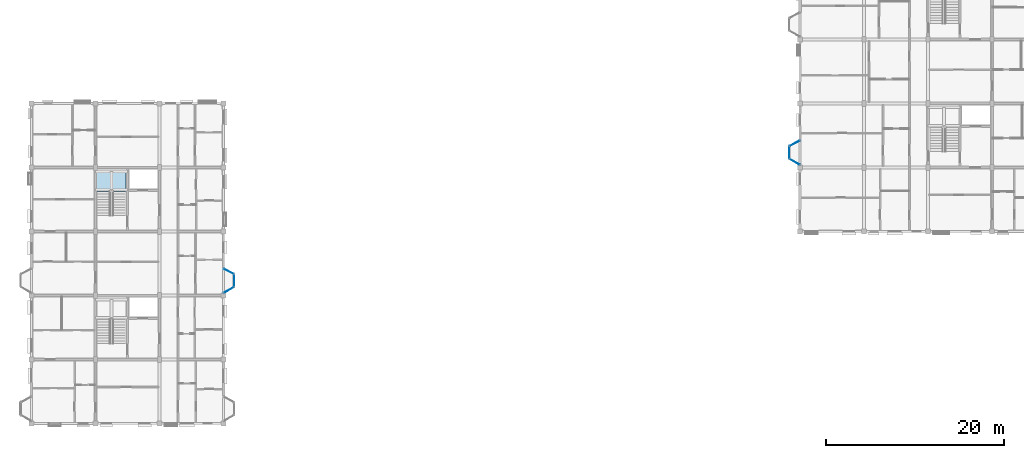
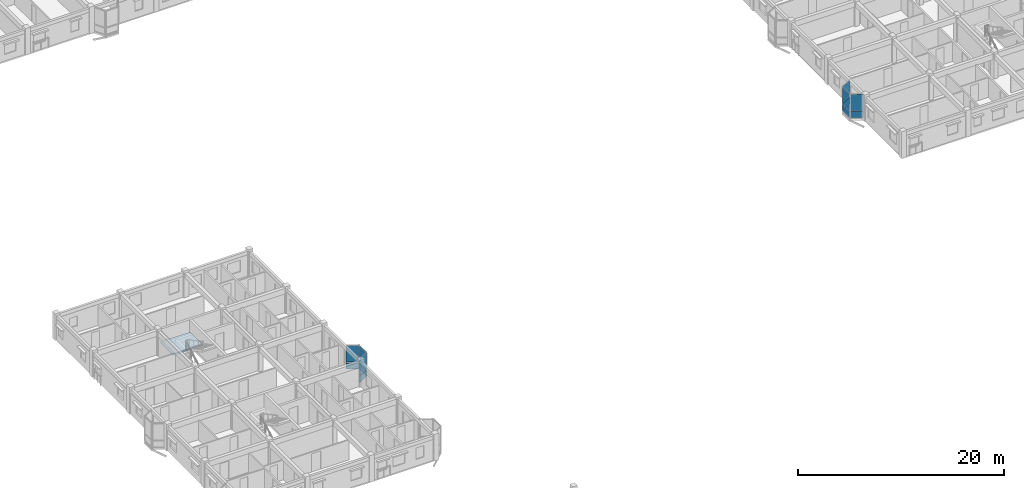
# One storey, part 47 of 79: 12 plates, 1 slab, 7 elements without a shape of their own.
"""IFC4 building model written with IfcOpenShell, lengths in metres."""

from ifc_helpers import new_model, si_unit, direction, frame, origin, origin_2d, place, context, subcontext, project, spatial, polyline, rectangle, outline, extrude, material, layer, layer_set, type_object, element, aggregate, save


model = new_model("IFC4")

# Units and contexts
model_context = context("Model", 3, precision=1e-05, world=origin(), true_north=direction((0.0, 1.0)))
body_context = subcontext(model_context, "Body", "Model", "MODEL_VIEW")
ifc_project = project(units=[si_unit("LENGTHUNIT", "METRE"), si_unit("AREAUNIT", "SQUARE_METRE"), si_unit("VOLUMEUNIT", "CUBIC_METRE"), si_unit("PLANEANGLEUNIT", "RADIAN"), si_unit("MASSUNIT", "GRAM", prefix="KILO"), si_unit("THERMODYNAMICTEMPERATUREUNIT", "KELVIN"), si_unit("POWERUNIT", "WATT")], contexts=[model_context])

# Site, building, storey
site_placement = place(None, origin())
site = spatial("IfcSite", under=ifc_project, at=site_placement, CompositionType="ELEMENT")
building_placement = place(site_placement, origin())
building = spatial("IfcBuilding", under=site, at=building_placement, Name="Tavuni Mirador Residences", CompositionType="ELEMENT")
storey_placement = place(building_placement, frame((0.0, 0.0, 13.949951171875)))
storey = spatial("IfcBuildingStorey", under=building, at=storey_placement, Name="L04", CompositionType="ELEMENT", Elevation=13.949951171875)

# Curtain wall, plate
ifc_material_1 = material(Name="Anodised aluminium", Category="aluminium")
ifc_layer_1 = layer(ifc_material_1, 0.1650390625, Name="Anodised aluminium", Category="aluminium")
ifc_layer_set_1 = layer_set([ifc_layer_1], Name="Anodised aluminium")
curtain_wall_type_1 = type_object("IfcCurtainWallType", Name="CWT-MIR-A", PredefinedType="NOTDEFINED", material=ifc_layer_set_1)
curtain_wall_1_placement = place(storey_placement, origin())
curtain_wall_1 = element("IfcCurtainWall", 1, at=curtain_wall_1_placement, inside=storey, type_object=curtain_wall_type_1, Name="CW-MIR-B-E2-L04-MF", PredefinedType="NOTDEFINED")
ifc_material_2 = material(Name="Laminated solar-control glass", Category="glass")
ifc_layer_2 = layer(ifc_material_2, 0.02392578125, Name="Laminated solar-control glass", Category="glass")
ifc_layer_set_2 = layer_set([ifc_layer_2], Name="Laminated solar-control glass")
plate_type_1 = type_object("IfcPlateType", Name="CWP-GL24", PredefinedType="CURTAIN_PANEL", material=ifc_layer_set_2)
plate_1_placement = place(storey_placement, frame((26.39990234375, 80.8701171875, 0.8798828125), z_axis=(0.0, 0.0, 1.0), x_axis=(0.0, 1.0, 0.0)))
plate_1 = element("IfcPlate", 2, at=plate_1_placement, type_object=plate_type_1, Name="CW-01 panel 1.2", PredefinedType="CURTAIN_PANEL", context=body_context, shape_type="SweptSolid", body=[
    extrude(rectangle(XDim=1.300048828125, YDim=0.02392578125, at=origin_2d()), origin(), (0.0, 0.0, 1.0), 1.969970703125),
])

curtain_wall_2_placement = place(storey_placement, origin())
curtain_wall_2 = element("IfcCurtainWall", 3, at=curtain_wall_2_placement, inside=storey, type_object=curtain_wall_type_1, Name="CW-MIR-D-W1-L04-MF", PredefinedType="NOTDEFINED")
plate_2_placement = place(storey_placement, frame((88.800048828125, 95.27001953125, 0.8798828125), z_axis=(0.0, 0.0, 1.0), x_axis=(0.0, -1.0, 0.0)))
plate_2 = element("IfcPlate", 4, at=plate_2_placement, type_object=plate_type_1, Name="CW-01 panel 1.2", PredefinedType="CURTAIN_PANEL", context=body_context, shape_type="SweptSolid", body=[
    extrude(rectangle(XDim=1.300048828125, YDim=0.02392578125, at=origin_2d()), origin(), (0.0, 0.0, 1.0), 1.949951171875),
])

ifc_layer_3 = layer(ifc_material_1, 0.14990234375, Name="Anodised aluminium", Category="aluminium")
ifc_layer_set_3 = layer_set([ifc_layer_3], Name="Anodised aluminium")
curtain_wall_type_2 = type_object("IfcCurtainWallType", Name="CWT-MIR-B", PredefinedType="NOTDEFINED", material=ifc_layer_set_3)
curtain_wall_3_placement = place(storey_placement, origin())
curtain_wall_3 = element("IfcCurtainWall", 5, at=curtain_wall_3_placement, inside=storey, type_object=curtain_wall_type_2, Name="CW-MIR-B-E2-L04-M2", PredefinedType="NOTDEFINED")
ifc_layer_4 = layer(ifc_material_2, 0.028076171875, Name="Laminated solar-control glass", Category="glass")
ifc_layer_set_4 = layer_set([ifc_layer_4], Name="Laminated solar-control glass")
plate_type_2 = type_object("IfcPlateType", Name="CWP-GL28", PredefinedType="CURTAIN_PANEL", material=ifc_layer_set_4)
plate_3_placement = place(storey_placement, frame((25.800048828125, 81.89990234375, 0.882568359375), z_axis=(0.0, 0.0, 1.0), x_axis=(-0.882352941175, 0.470588235296, 0.0)))
plate_3 = element("IfcPlate", 6, at=plate_3_placement, type_object=plate_type_2, Name="CW-02 panel 1.2", PredefinedType="CURTAIN_PANEL", context=body_context, shape_type="SweptSolid", body=[
    extrude(rectangle(XDim=1.22998046875, YDim=0.028076171875, at=origin_2d()), origin(), (0.0, 0.0, 1.0), 1.96240234375),
])

curtain_wall_4_placement = place(storey_placement, origin())
curtain_wall_4 = element("IfcCurtainWall", 7, at=curtain_wall_4_placement, inside=storey, type_object=curtain_wall_type_2, Name="CW-MIR-D-W1-L04-M2", PredefinedType="NOTDEFINED")
plate_4_placement = place(storey_placement, frame((89.39990234375, 94.217529296875, 0.882568359375), z_axis=(0.0, 0.0, 1.0), x_axis=(0.868465738194, -0.495749192217, 0.0)))
plate_4 = element("IfcPlate", 8, at=plate_4_placement, type_object=plate_type_2, Name="CW-02 panel 1.2", PredefinedType="CURTAIN_PANEL", context=body_context, shape_type="SweptSolid", body=[
    extrude(rectangle(XDim=1.251708984375, YDim=0.028076171875, at=origin_2d()), origin(), (0.0, 0.0, 1.0), 1.9423828125),
])

ifc_layer_5 = layer(ifc_material_1, 0.159912109375, Name="Anodised aluminium", Category="aluminium")
ifc_layer_set_5 = layer_set([ifc_layer_5], Name="Anodised aluminium")
curtain_wall_type_3 = type_object("IfcCurtainWallType", Name="CWT-MIR-D", PredefinedType="NOTDEFINED", material=ifc_layer_set_5)
curtain_wall_5_placement = place(storey_placement, origin())
curtain_wall_5 = element("IfcCurtainWall", 9, at=curtain_wall_5_placement, inside=storey, type_object=curtain_wall_type_3, Name="CW-MIR-B-E2-L04-M1", PredefinedType="NOTDEFINED")
ifc_layer_6 = layer(ifc_material_2, 0.035888671875, Name="Laminated solar-control glass", Category="glass")
ifc_layer_set_6 = layer_set([ifc_layer_6], Name="Laminated solar-control glass")
plate_type_3 = type_object("IfcPlateType", Name="CWP-GL36", PredefinedType="CURTAIN_PANEL", material=ifc_layer_set_6)
plate_5_placement = place(storey_placement, frame((25.800048828125, 79.8173828125, 0.882568359375), z_axis=(0.0, 0.0, 1.0), x_axis=(0.868465738194, 0.495749192217, 0.0)))
plate_5 = element("IfcPlate", 10, at=plate_5_placement, type_object=plate_type_3, Name="CW-04 panel 1.2", PredefinedType="CURTAIN_PANEL", context=body_context, shape_type="SweptSolid", body=[
    extrude(rectangle(XDim=1.251708984375, YDim=0.035888671875, at=origin_2d()), origin(), (0.0, 0.0, 1.0), 1.96240234375),
])

curtain_wall_6_placement = place(storey_placement, origin())
curtain_wall_6 = element("IfcCurtainWall", 11, at=curtain_wall_6_placement, inside=storey, type_object=curtain_wall_type_3, Name="CW-MIR-D-W1-L04-M1", PredefinedType="NOTDEFINED")
plate_6_placement = place(storey_placement, frame((89.39990234375, 96.300048828125, 0.882568359375), z_axis=(0.0, 0.0, 1.0), x_axis=(-0.882352941175, -0.470588235296, 0.0)))
plate_6 = element("IfcPlate", 12, at=plate_6_placement, type_object=plate_type_3, Name="CW-04 panel 1.2", PredefinedType="CURTAIN_PANEL", context=body_context, shape_type="SweptSolid", body=[
    extrude(rectangle(XDim=1.22998046875, YDim=0.035888671875, at=origin_2d()), origin(), (0.0, 0.0, 1.0), 1.9423828125),
])

# Plate
ifc_material_3 = material(Name="Ceramic trencadis mosaic panel", Category="masonry")
ifc_layer_7 = layer(ifc_material_3, 0.0419921875, Name="Ceramic trencadis mosaic panel", Category="masonry")
ifc_layer_set_7 = layer_set([ifc_layer_7], Name="Ceramic trencadis mosaic panel")
plate_type_4 = type_object("IfcPlateType", Name="CWP-SP42", PredefinedType="CURTAIN_PANEL", material=ifc_layer_set_7)
plate_7_placement = place(storey_placement, frame((26.39990234375, 80.8701171875, 0.06005859375), z_axis=(0.0, 0.0, 1.0), x_axis=(0.0, 1.0, 0.0)))
plate_7 = element("IfcPlate", 13, at=plate_7_placement, type_object=plate_type_4, Name="CW-01 panel 1.1", PredefinedType="CURTAIN_PANEL", context=body_context, shape_type="SweptSolid", body=[
    extrude(rectangle(XDim=1.300048828125, YDim=0.0419921875, at=origin_2d()), origin(), (0.0, 0.0, 1.0), 0.760009765625),
])

aggregate(curtain_wall_1, [plate_7, plate_1])

plate_8_placement = place(storey_placement, frame((88.800048828125, 95.27001953125, 0.06005859375), z_axis=(0.0, 0.0, 1.0), x_axis=(0.0, -1.0, 0.0)))
plate_8 = element("IfcPlate", 14, at=plate_8_placement, type_object=plate_type_4, Name="CW-01 panel 1.1", PredefinedType="CURTAIN_PANEL", context=body_context, shape_type="SweptSolid", body=[
    extrude(rectangle(XDim=1.300048828125, YDim=0.0419921875, at=origin_2d()), origin(), (0.0, 0.0, 1.0), 0.760009765625),
])

aggregate(curtain_wall_2, [plate_8, plate_2])

ifc_layer_8 = layer(ifc_material_3, 0.048095703125, Name="Ceramic trencadis mosaic panel", Category="masonry")
ifc_layer_set_8 = layer_set([ifc_layer_8], Name="Ceramic trencadis mosaic panel")
plate_type_5 = type_object("IfcPlateType", Name="CWP-SP48", PredefinedType="CURTAIN_PANEL", material=ifc_layer_set_8)
plate_9_placement = place(storey_placement, frame((25.800048828125, 79.8173828125, 0.065185546875), z_axis=(0.0, 0.0, 1.0), x_axis=(0.868465738194, 0.495749192217, 0.0)))
plate_9 = element("IfcPlate", 15, at=plate_9_placement, type_object=plate_type_5, Name="CW-04 panel 1.1", PredefinedType="CURTAIN_PANEL", context=body_context, shape_type="SweptSolid", body=[
    extrude(rectangle(XDim=1.251708984375, YDim=0.048095703125, at=origin_2d()), origin(), (0.0, 0.0, 1.0), 0.75244140625),
])

aggregate(curtain_wall_5, [plate_9, plate_5])

plate_10_placement = place(storey_placement, frame((25.800048828125, 81.89990234375, 0.065185546875), z_axis=(0.0, 0.0, 1.0), x_axis=(-0.882352941175, 0.470588235296, 0.0)))
plate_10 = element("IfcPlate", 16, at=plate_10_placement, type_object=plate_type_5, Name="CW-02 panel 1.1", PredefinedType="CURTAIN_PANEL", context=body_context, shape_type="SweptSolid", body=[
    extrude(rectangle(XDim=1.22998046875, YDim=0.048095703125, at=origin_2d()), origin(), (0.0, 0.0, 1.0), 0.75244140625),
])

aggregate(curtain_wall_3, [plate_10, plate_3])

plate_11_placement = place(storey_placement, frame((89.39990234375, 96.300048828125, 0.065185546875), z_axis=(0.0, 0.0, 1.0), x_axis=(-0.882352941175, -0.470588235296, 0.0)))
plate_11 = element("IfcPlate", 17, at=plate_11_placement, type_object=plate_type_5, Name="CW-04 panel 1.1", PredefinedType="CURTAIN_PANEL", context=body_context, shape_type="SweptSolid", body=[
    extrude(rectangle(XDim=1.22998046875, YDim=0.048095703125, at=origin_2d()), origin(), (0.0, 0.0, 1.0), 0.75244140625),
])

aggregate(curtain_wall_6, [plate_11, plate_6])

plate_12_placement = place(storey_placement, frame((89.39990234375, 94.217529296875, 0.065185546875), z_axis=(0.0, 0.0, 1.0), x_axis=(0.868465738194, -0.495749192217, 0.0)))
plate_12 = element("IfcPlate", 18, at=plate_12_placement, type_object=plate_type_5, Name="CW-02 panel 1.1", PredefinedType="CURTAIN_PANEL", context=body_context, shape_type="SweptSolid", body=[
    extrude(rectangle(XDim=1.251708984375, YDim=0.048095703125, at=origin_2d()), origin(), (0.0, 0.0, 1.0), 0.75244140625),
])

aggregate(curtain_wall_4, [plate_12, plate_4])

# Stair, slab
ifc_material_4 = material(Name="Precast concrete C40/50", Category="concrete")
stair_type = type_object("IfcStairType", Name="STT-TYP", PredefinedType="HALF_TURN_STAIR", material=ifc_material_4)
stair_placement = place(storey_placement, origin())
stair = element("IfcStair", 19, at=stair_placement, inside=storey, type_object=stair_type, Name="Protected exit stair ST4 (L04)", PredefinedType="HALF_TURN_STAIR")
ifc_layer_9 = layer(ifc_material_4, 0.179931640625, Name="Precast concrete C40/50", Category="concrete")
ifc_layer_set_9 = layer_set([ifc_layer_9], Name="Precast concrete C40/50")
slab_type = type_object("IfcSlabType", Name="SLT-LND180", PredefinedType="LANDING", material=ifc_layer_set_9)
slab_placement = place(storey_placement, frame((0.0, 0.0, 1.39501953125)))
slab = element("IfcSlab", 20, at=slab_placement, type_object=slab_type, Name="ST4 landing 1", PredefinedType="LANDING", context=body_context, shape_type="SweptSolid", body=[
    extrude(outline(polyline([(10.93994140625, 90.89208984375), (14.260009765625, 90.89208984375), (14.260009765625, 93.300048828125), (10.93994140625, 93.300048828125), (10.93994140625, 90.89208984375)])), origin(), (0.0, 0.0, 1.0), 0.179931640625),
])
aggregate(stair, [slab])

save(model, "model.ifc")
